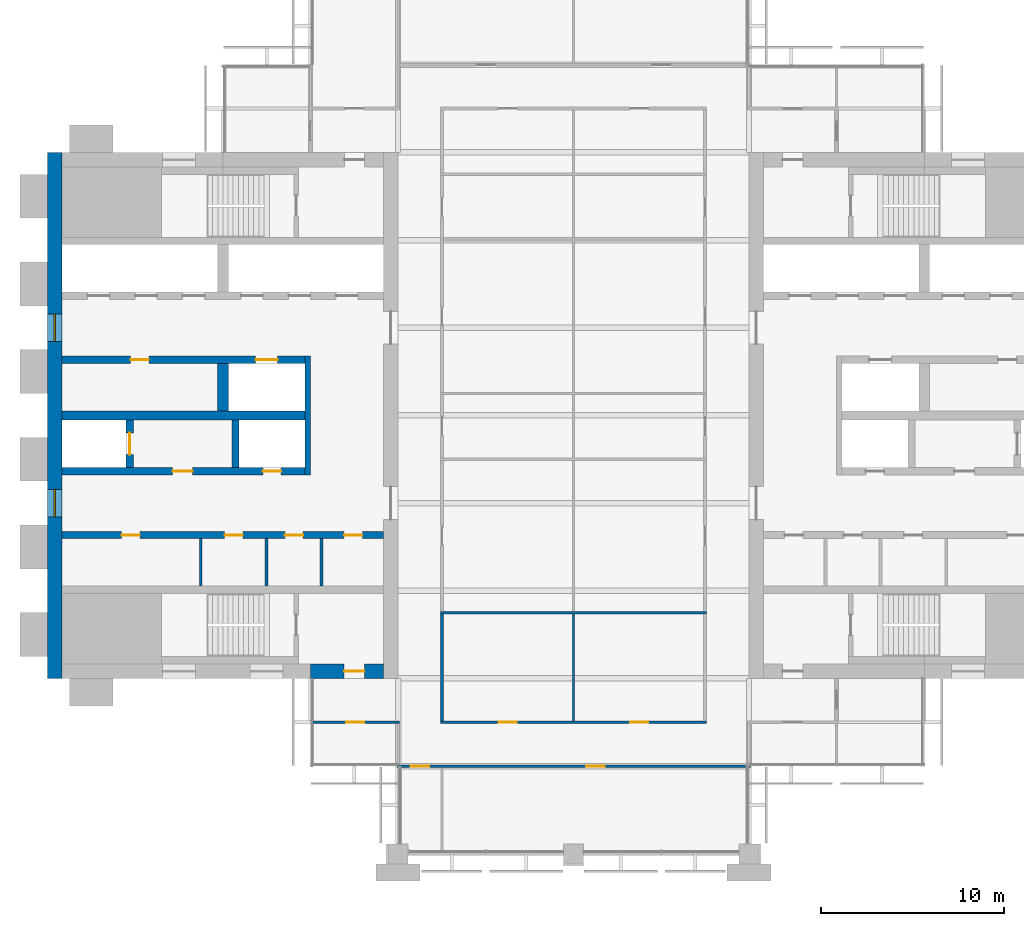
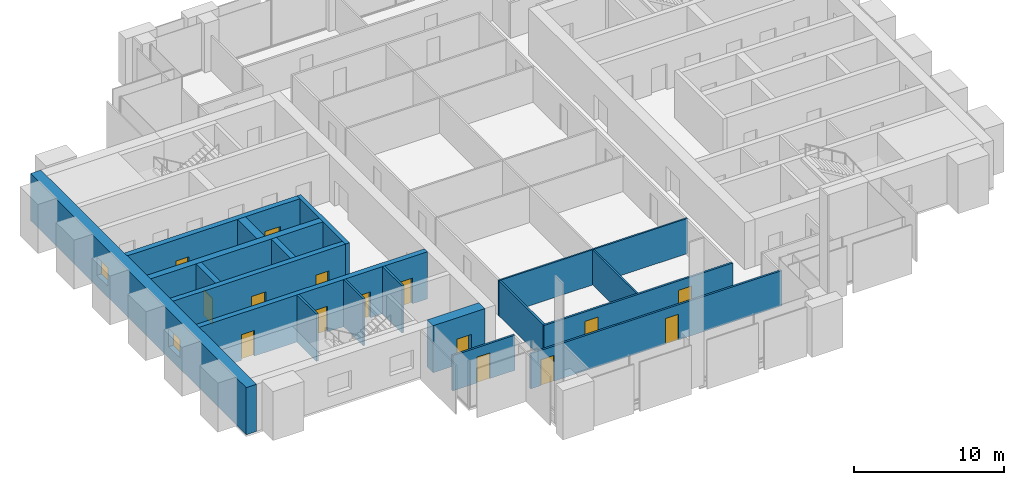
# One storey, part 8 of 13: 19 walls, 15 doors, 2 windows, 17 openings.
"""IFC4 building model written with IfcOpenShell, lengths in metres."""

from ifc_helpers import new_model, si_unit, direction, frame, frame_2d, origin, place, context, subcontext, project, spatial, rectangle, extrude, material, layer, layer_set, type_object, element, fill, save


model = new_model("IFC4")

# Units and contexts
model_context = context("Model", 3, precision=1e-05, world=origin(), true_north=direction((0.0, 1.0)))
body_context = subcontext(model_context, "Body", "Model", "MODEL_VIEW")
ifc_project = project(units=[si_unit("LENGTHUNIT", "METRE"), si_unit("AREAUNIT", "SQUARE_METRE"), si_unit("VOLUMEUNIT", "CUBIC_METRE"), si_unit("PLANEANGLEUNIT", "RADIAN"), si_unit("MASSUNIT", "GRAM", prefix="KILO")], contexts=[model_context])

# Site, building, storey
site_placement = place(None, origin())
site = spatial("IfcSite", under=ifc_project, at=site_placement, CompositionType="ELEMENT")
building_placement = place(site_placement, origin())
building = spatial("IfcBuilding", under=site, at=building_placement, Name="Baori Bourse Tower", CompositionType="ELEMENT")
storey_placement = place(building_placement, frame((0.0, 0.0, 225.199951171875)))
storey = spatial("IfcBuildingStorey", under=building, at=storey_placement, Name="L49", CompositionType="ELEMENT", Elevation=225.199951171875)

# Walls
ifc_material_1 = material(Name="Blockwork partition", Category="masonry")
ifc_layer_1 = layer(ifc_material_1, 0.14990234375)
ifc_layer_set_1 = layer_set([ifc_layer_1], Name="Core partition 150")
wall_type_1 = type_object("IfcWallType", Name="Core partition 150", PredefinedType="PARTITIONING", material=ifc_layer_set_1)
for number, where, z_axis, x_axis, name in (
    (1, (8.39990234375, 14.64990234375, 0.0), (0.0, 0.0, 1.0), (0.0, 1.0, 0.0), "Partition wall W09"),
    (2, (12.0, 14.64990234375, 0.0), (0.0, 0.0, 1.0), (0.0, 1.0, 0.0), "Partition wall W10"),
    (3, (15.0, 14.64990234375, 0.0), (0.0, 0.0, 1.0), (0.0, 1.0, 0.0), "Partition wall W11"),
):
    element("IfcWall", number, at=place(storey_placement, frame(where, z_axis=z_axis, x_axis=x_axis)), inside=storey, type_object=wall_type_1, Name=name, PredefinedType="PARTITIONING", context=body_context, shape_type="SweptSolid", body=[
        extrude(rectangle(XDim=2.60009765625, YDim=0.14990234375, at=frame_2d((1.300048828125, 0.0))), origin(), (0.0, 0.0, 1.0), 3.840087890625),
    ])

# Wall, openings, windows
ifc_material_2 = material(Name="Concrete f'c 50 MPa", Category="concrete")
ifc_layer_2 = layer(ifc_material_2, 0.800048828125)
ifc_layer_set_2 = layer_set([ifc_layer_2], Name="Core wall 800 f'c 50")
wall_type_2 = type_object("IfcWallType", Name="Core wall 800 f'c 50", PredefinedType="SHEAR", material=ifc_layer_set_2)
wall_1_placement = place(storey_placement, frame((0.39990234375, 9.60009765625, 0.0), z_axis=(0.0, 0.0, 1.0), x_axis=(0.0, 1.0, 0.0)))
wall_1 = element("IfcWall", 4, at=wall_1_placement, inside=storey, type_object=wall_type_2, Name="Core wall W01", PredefinedType="SHEAR", context=body_context, shape_type="SweptSolid", body=[
    extrude(rectangle(XDim=28.7998046875, YDim=0.800048828125, at=frame_2d((14.39990234375, 0.0))), origin(), (0.0, 0.0, 1.0), 3.840087890625),
])
opening_1_placement = place(wall_1_placement, frame((8.85009765625, 0.0, 0.89990234375)))
opening_1 = element("IfcOpeningElement", 5, at=opening_1_placement, cuts=wall_1, Name="Opening L49-KW101", PredefinedType="OPENING", context=body_context, shape_type="SweptSolid", body=[
    extrude(rectangle(XDim=1.5, YDim=1.5, at=frame_2d((0.75, 0.75))), frame((0.0, 0.409912109375, 0.0), z_axis=(0.0, -1.0, 0.0), x_axis=(1.0, 0.0, 0.0)), (0.0, 0.0, 1.0), 0.820068359375),
])
opening_2_placement = place(wall_1_placement, frame((18.449951171875, 0.0, 0.89990234375)))
opening_2 = element("IfcOpeningElement", 6, at=opening_2_placement, cuts=wall_1, Name="Opening L49-KW102", PredefinedType="OPENING", context=body_context, shape_type="SweptSolid", body=[
    extrude(rectangle(XDim=1.5, YDim=1.5, at=frame_2d((0.75, 0.75))), frame((0.0, 0.409912109375, 0.0), z_axis=(0.0, -1.0, 0.0), x_axis=(1.0, 0.0, 0.0)), (0.0, 0.0, 1.0), 0.820068359375),
])
ifc_material_3 = material(Name="Pale anodised aluminium", Category="aluminium")
window_type = type_object("IfcWindowType", Name="Lobby window 1500 x 1500", PartitioningType="SINGLE_PANEL", PredefinedType="WINDOW", material=ifc_material_3)
window_1_placement = place(opening_1_placement, origin())
window_1 = element("IfcWindow", 7, at=window_1_placement, inside=storey, type_object=window_type, Name="Outer wall window W L49 1", OverallHeight=1.5, OverallWidth=1.5, PartitioningType="SINGLE_PANEL", PredefinedType="WINDOW", context=body_context, shape_type="SweptSolid", body=[
    extrude(rectangle(XDim=1.5, YDim=1.5, at=frame_2d((0.75, 0.75))), frame((0.0, 0.030029296875, 0.0), z_axis=(0.0, -1.0, 0.0), x_axis=(1.0, 0.0, 0.0)), (0.0, 0.0, 1.0), 0.06005859375),
])
fill(opening_1, window_1)
window_2_placement = place(opening_2_placement, origin())
window_2 = element("IfcWindow", 8, at=window_2_placement, inside=storey, type_object=window_type, Name="Outer wall window W L49 2", OverallHeight=1.5, OverallWidth=1.5, PartitioningType="SINGLE_PANEL", PredefinedType="WINDOW", context=body_context, shape_type="SweptSolid", body=[
    extrude(rectangle(XDim=1.5, YDim=1.5, at=frame_2d((0.75, 0.75))), frame((0.0, 0.030029296875, 0.0), z_axis=(0.0, -1.0, 0.0), x_axis=(1.0, 0.0, 0.0)), (0.0, 0.0, 1.0), 0.06005859375),
])
fill(opening_2, window_2)

# Wall, opening, door
wall_2_placement = place(storey_placement, frame((18.39990234375, 10.0, 0.0), z_axis=(0.0, 0.0, 1.0), x_axis=(-1.0, 0.0, 0.0)))
wall_2 = element("IfcWall", 9, at=wall_2_placement, inside=storey, type_object=wall_type_2, Name="Core wall W03", PredefinedType="SHEAR", context=body_context, shape_type="SweptSolid", body=[
    extrude(rectangle(XDim=4.0, YDim=0.800048828125, at=frame_2d((2.0, 0.0))), origin(), (0.0, 0.0, 1.0), 3.840087890625),
])
opening_3_placement = place(wall_2_placement, frame((1.050048828125, 0.0, 0.0)))
opening_3 = element("IfcOpeningElement", 10, at=opening_3_placement, cuts=wall_2, Name="Opening L49-D102", PredefinedType="OPENING", context=body_context, shape_type="SweptSolid", body=[
    extrude(rectangle(XDim=1.10009765625, YDim=2.10009765625, at=frame_2d((0.550048828125, 1.050048828125))), frame((0.0, 0.409912109375, 0.0), z_axis=(0.0, -1.0, 0.0), x_axis=(1.0, 0.0, 0.0)), (0.0, 0.0, 1.0), 0.820068359375),
])
ifc_material_4 = material(Name="Painted steel door", Category="steel")
door_type_1 = type_object("IfcDoorType", Name="Stair door 1100", OperationType="SINGLE_SWING_LEFT", PredefinedType="DOOR", material=ifc_material_4)
door_1_placement = place(opening_3_placement, origin())
door_1 = element("IfcDoor", 11, at=door_1_placement, inside=storey, type_object=door_type_1, Name="Stair vestibule door A W L49", OperationType="SINGLE_SWING_LEFT", OverallHeight=2.10009765625, OverallWidth=1.10009765625, PredefinedType="DOOR", context=body_context, shape_type="SweptSolid", body=[
    extrude(rectangle(XDim=1.10009765625, YDim=2.10009765625, at=frame_2d((0.550048828125, 1.050048828125))), frame((0.0, 0.02490234375, 0.0), z_axis=(0.0, -1.0, 0.0), x_axis=(1.0, 0.0, 0.0)), (0.0, 0.0, 1.0), 0.050048828125),
])
fill(opening_3, door_1)

# Wall, openings, doors
ifc_material_5 = material(Name="Gypsum board partition")
ifc_layer_3 = layer(ifc_material_5, 0.14990234375)
ifc_layer_set_3 = layer_set([ifc_layer_3], Name="Corridor partition 150")
wall_type_3 = type_object("IfcWallType", Name="Corridor partition 150", PredefinedType="PARTITIONING", material=ifc_layer_set_3)
wall_3_placement = place(storey_placement, frame((19.125, 4.800048828125, 0.0), z_axis=(0.0, 0.0, 1.0), x_axis=(1.0, 0.0, 0.0)))
wall_3 = element("IfcWall", 12, at=wall_3_placement, inside=storey, type_object=wall_type_3, Name="Partition", PredefinedType="PARTITIONING", context=body_context, shape_type="SweptSolid", body=[
    extrude(rectangle(XDim=19.35009765625, YDim=0.14990234375, at=frame_2d((9.675048828125, 0.0))), origin(), (0.0, 0.0, 1.0), 2.869873046875),
])
opening_4_placement = place(wall_3_placement, frame((0.77490234375, 0.0, 0.0)))
opening_4 = element("IfcOpeningElement", 13, at=opening_4_placement, cuts=wall_3, Name="Opening L49-D01", PredefinedType="OPENING", context=body_context, shape_type="SweptSolid", body=[
    extrude(rectangle(XDim=1.0, YDim=2.10009765625, at=frame_2d((0.5, 1.050048828125))), frame((0.0, 0.0849609375, 0.0), z_axis=(0.0, -1.0, 0.0), x_axis=(1.0, 0.0, 0.0)), (0.0, 0.0, 1.0), 0.169921875),
])
opening_5_placement = place(wall_3_placement, frame((10.375, 0.0, 0.0)))
opening_5 = element("IfcOpeningElement", 14, at=opening_5_placement, cuts=wall_3, Name="Opening L49-D02", PredefinedType="OPENING", context=body_context, shape_type="SweptSolid", body=[
    extrude(rectangle(XDim=1.0, YDim=2.10009765625, at=frame_2d((0.5, 1.050048828125))), frame((0.0, 0.0849609375, 0.0), z_axis=(0.0, -1.0, 0.0), x_axis=(1.0, 0.0, 0.0)), (0.0, 0.0, 1.0), 0.169921875),
])
ifc_material_6 = material(Name="Timber door leaf", Category="wood")
door_type_2 = type_object("IfcDoorType", Name="Door 1000 x 2100", OperationType="SINGLE_SWING_LEFT", PredefinedType="DOOR", material=ifc_material_6)
door_2_placement = place(opening_4_placement, origin())
door_2 = element("IfcDoor", 15, at=door_2_placement, inside=storey, type_object=door_type_2, Name="Door", OperationType="SINGLE_SWING_LEFT", OverallHeight=2.10009765625, OverallWidth=1.0, PredefinedType="DOOR", context=body_context, shape_type="SweptSolid", body=[
    extrude(rectangle(XDim=1.0, YDim=2.10009765625, at=frame_2d((0.5, 1.050048828125))), frame((0.0, 0.02490234375, 0.0), z_axis=(0.0, -1.0, 0.0), x_axis=(1.0, 0.0, 0.0)), (0.0, 0.0, 1.0), 0.050048828125),
])
fill(opening_4, door_2)
door_3_placement = place(opening_5_placement, origin())
door_3 = element("IfcDoor", 16, at=door_3_placement, inside=storey, type_object=door_type_2, Name="Door", OperationType="SINGLE_SWING_RIGHT", OverallHeight=2.10009765625, OverallWidth=1.0, PredefinedType="DOOR", context=body_context, shape_type="SweptSolid", body=[
    extrude(rectangle(XDim=1.0, YDim=2.10009765625, at=frame_2d((0.5, 1.050048828125))), frame((0.0, 0.02490234375, 0.0), z_axis=(0.0, -1.0, 0.0), x_axis=(1.0, 0.0, 0.0)), (0.0, 0.0, 1.0), 0.050048828125),
])
fill(opening_5, door_3)

# Wall, opening, door
wall_4_placement = place(storey_placement, frame((14.5, 7.199951171875, 0.0), z_axis=(0.0, 0.0, 1.0), x_axis=(1.0, 0.0, 0.0)))
wall_4 = element("IfcWall", 17, at=wall_4_placement, inside=storey, type_object=wall_type_3, Name="Partition", PredefinedType="PARTITIONING", context=body_context, shape_type="SweptSolid", body=[
    extrude(rectangle(XDim=4.77490234375, YDim=0.14990234375, at=frame_2d((2.387451171875, 0.0))), origin(), (0.0, 0.0, 1.0), 2.869873046875),
])
opening_6_placement = place(wall_4_placement, frame((1.85009765625, 0.0, 0.0)))
opening_6 = element("IfcOpeningElement", 18, at=opening_6_placement, cuts=wall_4, Name="Opening L49-D03", PredefinedType="OPENING", context=body_context, shape_type="SweptSolid", body=[
    extrude(rectangle(XDim=1.0, YDim=2.10009765625, at=frame_2d((0.5, 1.050048828125))), frame((0.0, 0.0849609375, 0.0), z_axis=(0.0, -1.0, 0.0), x_axis=(1.0, 0.0, 0.0)), (0.0, 0.0, 1.0), 0.169921875),
])
door_4_placement = place(opening_6_placement, origin())
door_4 = element("IfcDoor", 19, at=door_4_placement, inside=storey, type_object=door_type_2, Name="Door", OperationType="SINGLE_SWING_LEFT", OverallHeight=2.10009765625, OverallWidth=1.0, PredefinedType="DOOR", context=body_context, shape_type="SweptSolid", body=[
    extrude(rectangle(XDim=1.0, YDim=2.10009765625, at=frame_2d((0.5, 1.050048828125))), frame((0.0, 0.02490234375, 0.0), z_axis=(0.0, -1.0, 0.0), x_axis=(1.0, 0.0, 0.0)), (0.0, 0.0, 1.0), 0.050048828125),
])
fill(opening_6, door_4)

# Wall, openings, doors
wall_5_placement = place(storey_placement, frame((21.52490234375, 7.199951171875, 0.0), z_axis=(0.0, 0.0, 1.0), x_axis=(1.0, 0.0, 0.0)))
wall_5 = element("IfcWall", 20, at=wall_5_placement, inside=storey, type_object=wall_type_3, Name="Partition", PredefinedType="PARTITIONING", context=body_context, shape_type="SweptSolid", body=[
    extrude(rectangle(XDim=14.550048828125, YDim=0.14990234375, at=frame_2d((7.27490234375, 0.0))), origin(), (0.0, 0.0, 1.0), 2.869873046875),
])
opening_7_placement = place(wall_5_placement, frame((3.175048828125, 0.0, 0.0)))
opening_7 = element("IfcOpeningElement", 21, at=opening_7_placement, cuts=wall_5, Name="Opening L49-D04", PredefinedType="OPENING", context=body_context, shape_type="SweptSolid", body=[
    extrude(rectangle(XDim=1.0, YDim=2.10009765625, at=frame_2d((0.5, 1.050048828125))), frame((0.0, 0.0849609375, 0.0), z_axis=(0.0, -1.0, 0.0), x_axis=(1.0, 0.0, 0.0)), (0.0, 0.0, 1.0), 0.169921875),
])
opening_8_placement = place(wall_5_placement, frame((10.375, 0.0, 0.0)))
opening_8 = element("IfcOpeningElement", 22, at=opening_8_placement, cuts=wall_5, Name="Opening L49-D05", PredefinedType="OPENING", context=body_context, shape_type="SweptSolid", body=[
    extrude(rectangle(XDim=1.0, YDim=2.10009765625, at=frame_2d((0.5, 1.050048828125))), frame((0.0, 0.0849609375, 0.0), z_axis=(0.0, -1.0, 0.0), x_axis=(1.0, 0.0, 0.0)), (0.0, 0.0, 1.0), 0.169921875),
])
door_5_placement = place(opening_7_placement, origin())
door_5 = element("IfcDoor", 23, at=door_5_placement, inside=storey, type_object=door_type_2, Name="Door", OperationType="SINGLE_SWING_RIGHT", OverallHeight=2.10009765625, OverallWidth=1.0, PredefinedType="DOOR", context=body_context, shape_type="SweptSolid", body=[
    extrude(rectangle(XDim=1.0, YDim=2.10009765625, at=frame_2d((0.5, 1.050048828125))), frame((0.0, 0.02490234375, 0.0), z_axis=(0.0, -1.0, 0.0), x_axis=(1.0, 0.0, 0.0)), (0.0, 0.0, 1.0), 0.050048828125),
])
fill(opening_7, door_5)
door_6_placement = place(opening_8_placement, origin())
door_6 = element("IfcDoor", 24, at=door_6_placement, inside=storey, type_object=door_type_2, Name="Door", OperationType="SINGLE_SWING_LEFT", OverallHeight=2.10009765625, OverallWidth=1.0, PredefinedType="DOOR", context=body_context, shape_type="SweptSolid", body=[
    extrude(rectangle(XDim=1.0, YDim=2.10009765625, at=frame_2d((0.5, 1.050048828125))), frame((0.0, 0.02490234375, 0.0), z_axis=(0.0, -1.0, 0.0), x_axis=(1.0, 0.0, 0.0)), (0.0, 0.0, 1.0), 0.050048828125),
])
fill(opening_8, door_6)

# Walls
wall_6_placement = place(storey_placement, frame((21.60009765625, 7.27490234375, 0.0), z_axis=(0.0, 0.0, 1.0), x_axis=(0.0, 1.0, 0.0)))
element("IfcWall", 25, at=wall_6_placement, inside=storey, type_object=wall_type_3, Name="Partition", PredefinedType="PARTITIONING", context=body_context, shape_type="SweptSolid", body=[
    extrude(rectangle(XDim=5.862548828125, YDim=0.14990234375, at=frame_2d((2.93115234375, 0.0))), origin(), (0.0, 0.0, 1.0), 2.869873046875),
])
ifc_material_7 = material(Name="Gypsum board partition")
ifc_layer_4 = layer(ifc_material_7, 0.125)
ifc_layer_set_4 = layer_set([ifc_layer_4], Name="Partition 125")
wall_type_4 = type_object("IfcWallType", Name="Partition 125", PredefinedType="PARTITIONING", material=ifc_layer_set_4)
wall_7_placement = place(storey_placement, frame((21.52490234375, 13.199951171875, 0.0), z_axis=(0.0, 0.0, 1.0), x_axis=(1.0, 0.0, 0.0)))
element("IfcWall", 26, at=wall_7_placement, inside=storey, type_object=wall_type_4, Name="Partition", PredefinedType="PARTITIONING", context=body_context, shape_type="SweptSolid", body=[
    extrude(rectangle(XDim=14.550048828125, YDim=0.125, at=frame_2d((7.27490234375, 0.0))), origin(), (0.0, 0.0, 1.0), 2.869873046875),
])
wall_8_placement = place(storey_placement, frame((28.800048828125, 7.27490234375, 0.0), z_axis=(0.0, 0.0, 1.0), x_axis=(0.0, 1.0, 0.0)))
element("IfcWall", 27, at=wall_8_placement, inside=storey, type_object=wall_type_4, Name="Partition", PredefinedType="PARTITIONING", context=body_context, shape_type="SweptSolid", body=[
    extrude(rectangle(XDim=5.862548828125, YDim=0.125, at=frame_2d((2.93115234375, 0.0))), origin(), (0.0, 0.0, 1.0), 2.869873046875),
])
ifc_material_8 = material(Name="Concrete f'c 50 MPa", Category="concrete")
ifc_layer_5 = layer(ifc_material_8, 0.300048828125)
ifc_layer_set_5 = layer_set([ifc_layer_5], Name="Shaft wall 300 f'c 50")
wall_type_5 = type_object("IfcWallType", Name="Shaft wall 300 f'c 50", PredefinedType="SHEAR", material=ifc_layer_set_5)
wall_9_placement = place(storey_placement, frame((14.25, 20.75, 0.0), z_axis=(0.0, 0.0, 1.0), x_axis=(0.0, 1.0, 0.0)))
element("IfcWall", 28, at=wall_9_placement, inside=storey, type_object=wall_type_5, Name="Core wall W14", PredefinedType="SHEAR", context=body_context, shape_type="SweptSolid", body=[
    extrude(rectangle(XDim=6.5, YDim=0.300048828125, at=frame_2d((3.25, 0.0))), origin(), (0.0, 0.0, 1.0), 3.840087890625),
])

# Wall, openings, doors
ifc_material_9 = material(Name="Concrete f'c 50 MPa", Category="concrete")
ifc_layer_6 = layer(ifc_material_9, 0.39990234375)
ifc_layer_set_6 = layer_set([ifc_layer_6], Name="Shaft wall 400 f'c 50")
wall_type_6 = type_object("IfcWallType", Name="Shaft wall 400 f'c 50", PredefinedType="SHEAR", material=ifc_layer_set_6)
wall_10_placement = place(storey_placement, frame((0.800048828125, 17.449951171875, 0.0), z_axis=(0.0, 0.0, 1.0), x_axis=(1.0, 0.0, 0.0)))
wall_10 = element("IfcWall", 29, at=wall_10_placement, inside=storey, type_object=wall_type_6, Name="Core wall W12", PredefinedType="SHEAR", context=body_context, shape_type="SweptSolid", body=[
    extrude(rectangle(XDim=17.599853515625, YDim=0.39990234375, at=frame_2d((8.7998046875, 0.0))), origin(), (0.0, 0.0, 1.0), 3.840087890625),
])
opening_9_placement = place(wall_10_placement, frame((3.262451171875, 0.0, 0.0)))
opening_9 = element("IfcOpeningElement", 30, at=opening_9_placement, cuts=wall_10, Name="Opening L49-D109", PredefinedType="OPENING", context=body_context, shape_type="SweptSolid", body=[
    extrude(rectangle(XDim=1.0, YDim=2.10009765625, at=frame_2d((0.5, 1.050048828125))), frame((0.0, 0.2099609375, 0.0), z_axis=(0.0, -1.0, 0.0), x_axis=(1.0, 0.0, 0.0)), (0.0, 0.0, 1.0), 0.419921875),
])
opening_10_placement = place(wall_10_placement, frame((8.89990234375, 0.0, 0.0)))
opening_10 = element("IfcOpeningElement", 31, at=opening_10_placement, cuts=wall_10, Name="Opening L49-D110", PredefinedType="OPENING", context=body_context, shape_type="SweptSolid", body=[
    extrude(rectangle(XDim=1.0, YDim=2.10009765625, at=frame_2d((0.5, 1.050048828125))), frame((0.0, 0.2099609375, 0.0), z_axis=(0.0, -1.0, 0.0), x_axis=(1.0, 0.0, 0.0)), (0.0, 0.0, 1.0), 0.419921875),
])
opening_11_placement = place(wall_10_placement, frame((12.199951171875, 0.0, 0.0)))
opening_11 = element("IfcOpeningElement", 32, at=opening_11_placement, cuts=wall_10, Name="Opening L49-D111", PredefinedType="OPENING", context=body_context, shape_type="SweptSolid", body=[
    extrude(rectangle(XDim=1.0, YDim=2.10009765625, at=frame_2d((0.5, 1.050048828125))), frame((0.0, 0.2099609375, 0.0), z_axis=(0.0, -1.0, 0.0), x_axis=(1.0, 0.0, 0.0)), (0.0, 0.0, 1.0), 0.419921875),
])
opening_12_placement = place(wall_10_placement, frame((15.4375, 0.0, 0.0)))
opening_12 = element("IfcOpeningElement", 33, at=opening_12_placement, cuts=wall_10, Name="Opening L49-D112", PredefinedType="OPENING", context=body_context, shape_type="SweptSolid", body=[
    extrude(rectangle(XDim=1.0, YDim=2.10009765625, at=frame_2d((0.5, 1.050048828125))), frame((0.0, 0.2099609375, 0.0), z_axis=(0.0, -1.0, 0.0), x_axis=(1.0, 0.0, 0.0)), (0.0, 0.0, 1.0), 0.419921875),
])
ifc_material_10 = material(Name="Painted steel door", Category="steel")
door_type_3 = type_object("IfcDoorType", Name="Core door 1000", OperationType="SINGLE_SWING_LEFT", PredefinedType="DOOR", material=ifc_material_10)
door_7_placement = place(opening_9_placement, origin())
door_7 = element("IfcDoor", 34, at=door_7_placement, inside=storey, type_object=door_type_3, Name="Men'S Wc door W L49", OperationType="SINGLE_SWING_LEFT", OverallHeight=2.10009765625, OverallWidth=1.0, PredefinedType="DOOR", context=body_context, shape_type="SweptSolid", body=[
    extrude(rectangle(XDim=1.0, YDim=2.10009765625, at=frame_2d((0.5, 1.050048828125))), frame((0.0, 0.02490234375, 0.0), z_axis=(0.0, -1.0, 0.0), x_axis=(1.0, 0.0, 0.0)), (0.0, 0.0, 1.0), 0.050048828125),
])
fill(opening_9, door_7)
door_8_placement = place(opening_10_placement, origin())
door_8 = element("IfcDoor", 35, at=door_8_placement, inside=storey, type_object=door_type_3, Name="Women'S Wc door W L49", OperationType="SINGLE_SWING_LEFT", OverallHeight=2.10009765625, OverallWidth=1.0, PredefinedType="DOOR", context=body_context, shape_type="SweptSolid", body=[
    extrude(rectangle(XDim=1.0, YDim=2.10009765625, at=frame_2d((0.5, 1.050048828125))), frame((0.0, 0.02490234375, 0.0), z_axis=(0.0, -1.0, 0.0), x_axis=(1.0, 0.0, 0.0)), (0.0, 0.0, 1.0), 0.050048828125),
])
fill(opening_10, door_8)
door_9_placement = place(opening_11_placement, origin())
door_9 = element("IfcDoor", 36, at=door_9_placement, inside=storey, type_object=door_type_3, Name="Accessible Wc door W L49", OperationType="SINGLE_SWING_LEFT", OverallHeight=2.10009765625, OverallWidth=1.0, PredefinedType="DOOR", context=body_context, shape_type="SweptSolid", body=[
    extrude(rectangle(XDim=1.0, YDim=2.10009765625, at=frame_2d((0.5, 1.050048828125))), frame((0.0, 0.02490234375, 0.0), z_axis=(0.0, -1.0, 0.0), x_axis=(1.0, 0.0, 0.0)), (0.0, 0.0, 1.0), 0.050048828125),
])
fill(opening_11, door_9)
door_10_placement = place(opening_12_placement, origin())
door_10 = element("IfcDoor", 37, at=door_10_placement, inside=storey, type_object=door_type_3, Name="Store Room door W L49", OperationType="SINGLE_SWING_LEFT", OverallHeight=2.10009765625, OverallWidth=1.0, PredefinedType="DOOR", context=body_context, shape_type="SweptSolid", body=[
    extrude(rectangle(XDim=1.0, YDim=2.10009765625, at=frame_2d((0.5, 1.050048828125))), frame((0.0, 0.02490234375, 0.0), z_axis=(0.0, -1.0, 0.0), x_axis=(1.0, 0.0, 0.0)), (0.0, 0.0, 1.0), 0.050048828125),
])
fill(opening_12, door_10)

wall_11_placement = place(storey_placement, frame((0.800048828125, 20.949951171875, 0.0), z_axis=(0.0, 0.0, 1.0), x_axis=(1.0, 0.0, 0.0)))
wall_11 = element("IfcWall", 38, at=wall_11_placement, inside=storey, type_object=wall_type_6, Name="Core wall W13", PredefinedType="SHEAR", context=body_context, shape_type="SweptSolid", body=[
    extrude(rectangle(XDim=13.300048828125, YDim=0.39990234375, at=frame_2d((6.64990234375, 0.0))), origin(), (0.0, 0.0, 1.0), 3.840087890625),
])
opening_13_placement = place(wall_11_placement, frame((6.050048828125, 0.0, 0.0)))
opening_13 = element("IfcOpeningElement", 39, at=opening_13_placement, cuts=wall_11, Name="Opening L49-D105", PredefinedType="OPENING", context=body_context, shape_type="SweptSolid", body=[
    extrude(rectangle(XDim=1.10009765625, YDim=2.10009765625, at=frame_2d((0.550048828125, 1.050048828125))), frame((0.0, 0.2099609375, 0.0), z_axis=(0.0, -1.0, 0.0), x_axis=(1.0, 0.0, 0.0)), (0.0, 0.0, 1.0), 0.419921875),
])
opening_14_placement = place(wall_11_placement, frame((11.0, 0.0, 0.0)))
opening_14 = element("IfcOpeningElement", 40, at=opening_14_placement, cuts=wall_11, Name="Opening L49-D106", PredefinedType="OPENING", context=body_context, shape_type="SweptSolid", body=[
    extrude(rectangle(XDim=1.0, YDim=2.10009765625, at=frame_2d((0.5, 1.050048828125))), frame((0.0, 0.2099609375, 0.0), z_axis=(0.0, -1.0, 0.0), x_axis=(1.0, 0.0, 0.0)), (0.0, 0.0, 1.0), 0.419921875),
])
ifc_material_11 = material(Name="Painted steel door", Category="steel")
door_type_4 = type_object("IfcDoorType", Name="Lobby door 1100", OperationType="SINGLE_SWING_LEFT", PredefinedType="DOOR", material=ifc_material_11)
door_11_placement = place(opening_13_placement, origin())
door_11 = element("IfcDoor", 41, at=door_11_placement, inside=storey, type_object=door_type_4, Name="Firefighting lobby door W L49", OperationType="SINGLE_SWING_LEFT", OverallHeight=2.10009765625, OverallWidth=1.10009765625, PredefinedType="DOOR", context=body_context, shape_type="SweptSolid", body=[
    extrude(rectangle(XDim=1.10009765625, YDim=2.10009765625, at=frame_2d((0.550048828125, 1.050048828125))), frame((0.0, 0.02490234375, 0.0), z_axis=(0.0, -1.0, 0.0), x_axis=(1.0, 0.0, 0.0)), (0.0, 0.0, 1.0), 0.050048828125),
])
fill(opening_13, door_11)
ifc_material_12 = material(Name="Painted steel door", Category="steel")
door_type_5 = type_object("IfcDoorType", Name="Shaft door 1000", OperationType="SINGLE_SWING_LEFT", PredefinedType="DOOR", material=ifc_material_12)
door_12_placement = place(opening_14_placement, origin())
door_12 = element("IfcDoor", 42, at=door_12_placement, inside=storey, type_object=door_type_5, Name="Riser room door W L49", OperationType="SINGLE_SWING_LEFT", OverallHeight=2.10009765625, OverallWidth=1.0, PredefinedType="DOOR", context=body_context, shape_type="SweptSolid", body=[
    extrude(rectangle(XDim=1.0, YDim=2.10009765625, at=frame_2d((0.5, 1.050048828125))), frame((0.0, 0.02490234375, 0.0), z_axis=(0.0, -1.0, 0.0), x_axis=(1.0, 0.0, 0.0)), (0.0, 0.0, 1.0), 0.050048828125),
])
fill(opening_14, door_12)

# Wall, opening, door
wall_12_placement = place(storey_placement, frame((4.5, 21.14990234375, 0.0), z_axis=(0.0, 0.0, 1.0), x_axis=(0.0, 1.0, 0.0)))
wall_12 = element("IfcWall", 43, at=wall_12_placement, inside=storey, type_object=wall_type_6, Name="Core wall W15", PredefinedType="SHEAR", context=body_context, shape_type="SweptSolid", body=[
    extrude(rectangle(XDim=2.60009765625, YDim=0.39990234375, at=frame_2d((1.300048828125, 0.0))), origin(), (0.0, 0.0, 1.0), 3.840087890625),
])
opening_15_placement = place(wall_12_placement, frame((0.699951171875, 0.0, 0.0)))
opening_15 = element("IfcOpeningElement", 44, at=opening_15_placement, cuts=wall_12, Name="Opening L49-D121", PredefinedType="OPENING", context=body_context, shape_type="SweptSolid", body=[
    extrude(rectangle(XDim=1.199951171875, YDim=2.10009765625, at=frame_2d((0.60009765625, 1.050048828125))), frame((0.0, 0.2099609375, 0.0), z_axis=(0.0, -1.0, 0.0), x_axis=(1.0, 0.0, 0.0)), (0.0, 0.0, 1.0), 0.419921875),
])
ifc_material_13 = material(Name="Stainless steel door", Category="steel")
door_type_6 = type_object("IfcDoorType", Name="Lift landing door", OperationType="DOUBLE_DOOR_SLIDING", PredefinedType="DOOR", material=ifc_material_13)
door_13_placement = place(opening_15_placement, origin())
door_13 = element("IfcDoor", 45, at=door_13_placement, inside=storey, type_object=door_type_6, Name="Lift landing door FF1 W L49", OperationType="DOUBLE_DOOR_SLIDING", OverallHeight=2.10009765625, OverallWidth=1.199951171875, PredefinedType="DOOR", context=body_context, shape_type="SweptSolid", body=[
    extrude(rectangle(XDim=1.199951171875, YDim=2.10009765625, at=frame_2d((0.60009765625, 1.050048828125))), frame((0.0, 0.02490234375, 0.0), z_axis=(0.0, -1.0, 0.0), x_axis=(1.0, 0.0, 0.0)), (0.0, 0.0, 1.0), 0.050048828125),
])
fill(opening_15, door_13)

# Wall
wall_13_placement = place(storey_placement, frame((10.300048828125, 21.14990234375, 0.0), z_axis=(0.0, 0.0, 1.0), x_axis=(0.0, 1.0, 0.0)))
element("IfcWall", 46, at=wall_13_placement, inside=storey, type_object=wall_type_6, Name="Core wall W16", PredefinedType="SHEAR", context=body_context, shape_type="SweptSolid", body=[
    extrude(rectangle(XDim=2.60009765625, YDim=0.39990234375, at=frame_2d((1.300048828125, 0.0))), origin(), (0.0, 0.0, 1.0), 3.840087890625),
])

# Wall, openings, doors
wall_14_placement = place(storey_placement, frame((0.800048828125, 27.050048828125, 0.0), z_axis=(0.0, 0.0, 1.0), x_axis=(1.0, 0.0, 0.0)))
wall_14 = element("IfcWall", 47, at=wall_14_placement, inside=storey, type_object=wall_type_6, Name="Core wall W19", PredefinedType="SHEAR", context=body_context, shape_type="SweptSolid", body=[
    extrude(rectangle(XDim=13.300048828125, YDim=0.39990234375, at=frame_2d((6.64990234375, 0.0))), origin(), (0.0, 0.0, 1.0), 3.840087890625),
])
opening_16_placement = place(wall_14_placement, frame((3.75, 0.0, 0.0)))
opening_16 = element("IfcOpeningElement", 48, at=opening_16_placement, cuts=wall_14, Name="Opening L49-D113", PredefinedType="OPENING", context=body_context, shape_type="SweptSolid", body=[
    extrude(rectangle(XDim=1.0, YDim=2.10009765625, at=frame_2d((0.5, 1.050048828125))), frame((0.0, 0.2099609375, 0.0), z_axis=(0.0, -1.0, 0.0), x_axis=(1.0, 0.0, 0.0)), (0.0, 0.0, 1.0), 0.419921875),
])
opening_17_placement = place(wall_14_placement, frame((10.60009765625, 0.0, 0.0)))
opening_17 = element("IfcOpeningElement", 49, at=opening_17_placement, cuts=wall_14, Name="Opening L49-D120", PredefinedType="OPENING", context=body_context, shape_type="SweptSolid", body=[
    extrude(rectangle(XDim=1.199951171875, YDim=2.10009765625, at=frame_2d((0.60009765625, 1.050048828125))), frame((0.0, 0.2099609375, 0.0), z_axis=(0.0, -1.0, 0.0), x_axis=(1.0, 0.0, 0.0)), (0.0, 0.0, 1.0), 0.419921875),
])
door_14_placement = place(opening_16_placement, origin())
door_14 = element("IfcDoor", 50, at=door_14_placement, inside=storey, type_object=door_type_3, Name="Pantry door W L49", OperationType="SINGLE_SWING_LEFT", OverallHeight=2.10009765625, OverallWidth=1.0, PredefinedType="DOOR", context=body_context, shape_type="SweptSolid", body=[
    extrude(rectangle(XDim=1.0, YDim=2.10009765625, at=frame_2d((0.5, 1.050048828125))), frame((0.0, 0.02490234375, 0.0), z_axis=(0.0, -1.0, 0.0), x_axis=(1.0, 0.0, 0.0)), (0.0, 0.0, 1.0), 0.050048828125),
])
fill(opening_16, door_14)
door_15_placement = place(opening_17_placement, origin())
door_15 = element("IfcDoor", 51, at=door_15_placement, inside=storey, type_object=door_type_6, Name="Lift landing door SV1 W L49", OperationType="DOUBLE_DOOR_SLIDING", OverallHeight=2.10009765625, OverallWidth=1.199951171875, PredefinedType="DOOR", context=body_context, shape_type="SweptSolid", body=[
    extrude(rectangle(XDim=1.199951171875, YDim=2.10009765625, at=frame_2d((0.60009765625, 1.050048828125))), frame((0.0, 0.02490234375, 0.0), z_axis=(0.0, -1.0, 0.0), x_axis=(1.0, 0.0, 0.0)), (0.0, 0.0, 1.0), 0.050048828125),
])
fill(opening_17, door_15)

# Walls
ifc_material_14 = material(Name="Concrete f'c 50 MPa", Category="concrete")
ifc_layer_7 = layer(ifc_material_14, 0.5)
ifc_layer_set_7 = layer_set([ifc_layer_7], Name="Shaft wall 500 f'c 50")
wall_type_7 = type_object("IfcWallType", Name="Shaft wall 500 f'c 50", PredefinedType="SHEAR", material=ifc_layer_set_7)
wall_15_placement = place(storey_placement, frame((0.800048828125, 24.0, 0.0), z_axis=(0.0, 0.0, 1.0), x_axis=(1.0, 0.0, 0.0)))
element("IfcWall", 52, at=wall_15_placement, inside=storey, type_object=wall_type_7, Name="Core wall W17", PredefinedType="SHEAR", context=body_context, shape_type="SweptSolid", body=[
    extrude(rectangle(XDim=13.300048828125, YDim=0.5, at=frame_2d((6.64990234375, 0.0))), origin(), (0.0, 0.0, 1.0), 3.840087890625),
])
ifc_material_15 = material(Name="Concrete f'c 50 MPa", Category="concrete")
ifc_layer_8 = layer(ifc_material_15, 0.60009765625)
ifc_layer_set_8 = layer_set([ifc_layer_8], Name="Shaft wall 600 f'c 50")
wall_type_8 = type_object("IfcWallType", Name="Shaft wall 600 f'c 50", PredefinedType="SHEAR", material=ifc_layer_set_8)
wall_16_placement = place(storey_placement, frame((9.60009765625, 24.25, 0.0), z_axis=(0.0, 0.0, 1.0), x_axis=(0.0, 1.0, 0.0)))
element("IfcWall", 53, at=wall_16_placement, inside=storey, type_object=wall_type_8, Name="Core wall W18", PredefinedType="SHEAR", context=body_context, shape_type="SweptSolid", body=[
    extrude(rectangle(XDim=2.60009765625, YDim=0.60009765625, at=frame_2d((1.300048828125, 0.0))), origin(), (0.0, 0.0, 1.0), 3.840087890625),
])

save(model, "model.ifc")
